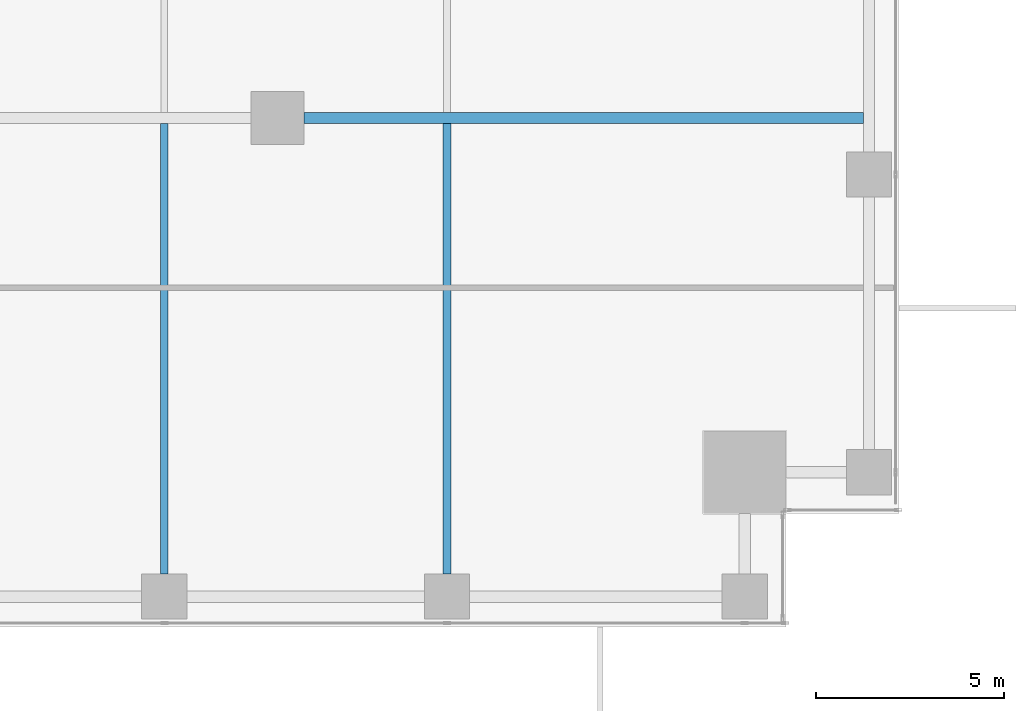
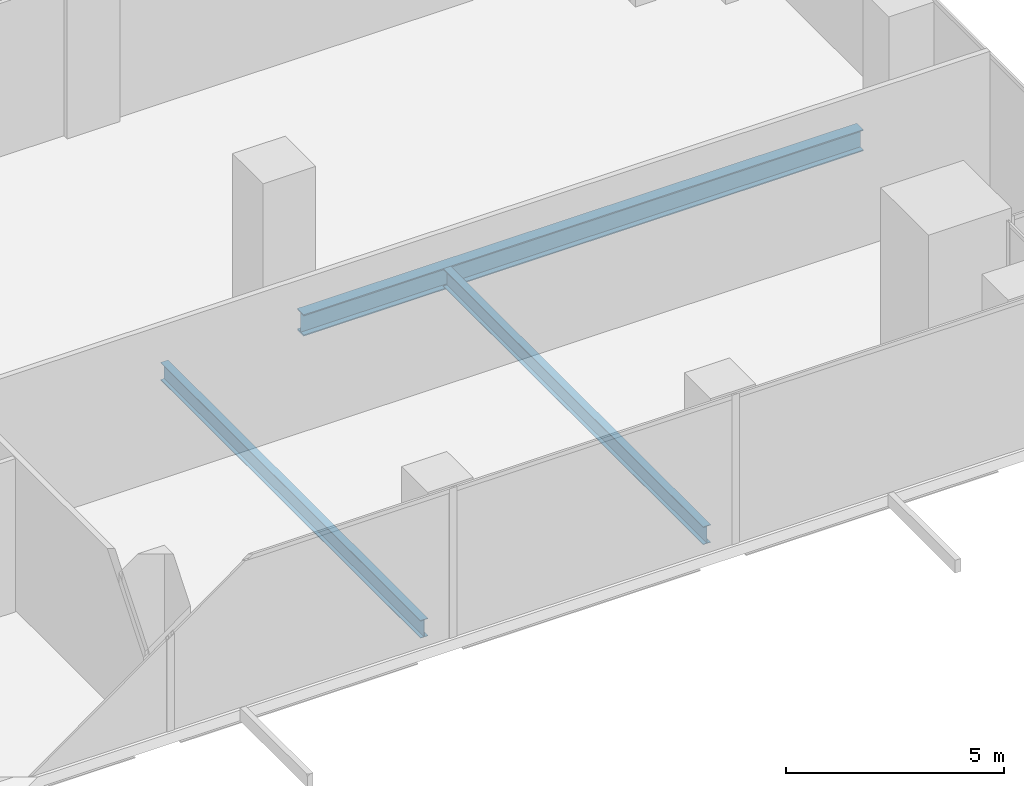
# One storey, part 8 of 33: 3 beams.
"""IFC4 building model written with IfcOpenShell, lengths in metres."""

from ifc_helpers import new_model, si_unit, direction, frame, origin, origin_2d, place, context, subcontext, project, spatial, i_section, extrude, source, transform, mapped, material, material_profile, profile_set, type_object, element, save


model = new_model("IFC4")

# Units and contexts
model_context = context("Model", 3, precision=1e-05, world=origin(), true_north=direction((0.0, 1.0)))
body_context = subcontext(model_context, "Body", "Model", "MODEL_VIEW")
ifc_project = project(units=[si_unit("LENGTHUNIT", "METRE"), si_unit("AREAUNIT", "SQUARE_METRE"), si_unit("VOLUMEUNIT", "CUBIC_METRE"), si_unit("PLANEANGLEUNIT", "RADIAN"), si_unit("MASSUNIT", "GRAM", prefix="KILO")], contexts=[model_context])

# Site, building, storey
site_placement = place(None, origin())
site = spatial("IfcSite", under=ifc_project, at=site_placement, CompositionType="ELEMENT")
building_placement = place(site_placement, origin())
building = spatial("IfcBuilding", under=site, at=building_placement, Name="Khomas Fold Tower", CompositionType="ELEMENT")
storey_placement = place(building_placement, frame((0.0, 0.0, 82.5)))
storey = spatial("IfcBuildingStorey", under=building, at=storey_placement, Name="L17", CompositionType="ELEMENT", Elevation=82.5)

# Beams
ifc_material_1 = material(Name="Steel S355", Category="steel")
ifc_material_profile_1 = material_profile(ifc_material_1, i_section(OverallWidth=0.300048828125, OverallDepth=0.60009765625, WebThickness=0.015380859375, FlangeThickness=0.030029296875, at=origin_2d()), Name="HE 600 B")
ifc_profile_set_1 = profile_set([ifc_material_profile_1], Name="Steel S355")
beam_type_1 = type_object("IfcBeamType", Name="HE 600 B beam GB5", PredefinedType="BEAM", material=ifc_profile_set_1)
shared_shape_1 = source(origin(), body_context, "Body", "SweptSolid", [
    extrude(i_section(OverallWidth=0.300048828125, OverallDepth=0.60009765625, WebThickness=0.015380859375, FlangeThickness=0.030029296875, at=origin_2d()), origin(), (0.0, 0.0, 1.0), 14.85009765625),
])
beam_placement = place(storey_placement, frame((38.199951171875, 13.5, -0.60009765625), z_axis=(1.0, 0.0, 0.0), x_axis=(0.0, 1.0, 0.0)))
element("IfcBeam", 1, at=beam_placement, inside=storey, type_object=beam_type_1, Name="GB5", PredefinedType="BEAM", context=body_context, shape_type="MappedRepresentation", body=[
    mapped(shared_shape_1, transform((0.0, 0.0, 0.0))),
])
ifc_material_2 = material(Name="Steel S355", Category="steel")
ifc_material_profile_2 = material_profile(ifc_material_2, i_section(OverallWidth=0.199951171875, OverallDepth=0.5, WebThickness=0.01025390625, FlangeThickness=0.01611328125, at=origin_2d()), Name="IPE 500")
ifc_profile_set_2 = profile_set([ifc_material_profile_2], Name="Steel S355")
beam_type_2 = type_object("IfcBeamType", Name="IPE 500 beam JB5", PredefinedType="BEAM", material=ifc_profile_set_2)
shared_shape_2 = source(origin(), body_context, "Body", "SweptSolid", [
    extrude(i_section(OverallWidth=0.199951171875, OverallDepth=0.5, WebThickness=0.01025390625, FlangeThickness=0.01611328125, at=origin_2d()), origin(), (0.0, 0.0, 1.0), 11.9501953125),
])
for number, where, z_axis, x_axis, name in (
    (2, (34.5, 1.39990234375, -0.550048828125), (0.0, 1.0, 0.0), (-1.0, 0.0, 0.0), "JB5"),
    (3, (42.0, 1.39990234375, -0.550048828125), (0.0, 1.0, 0.0), (-1.0, 0.0, 0.0), "JB5"),
):
    element("IfcBeam", number, at=place(storey_placement, frame(where, z_axis=z_axis, x_axis=x_axis)), inside=storey, type_object=beam_type_2, Name=name, PredefinedType="BEAM", context=body_context, shape_type="MappedRepresentation", body=[
        mapped(shared_shape_2, transform((0.0, 0.0, 0.0))),
    ])

save(model, "model.ifc")
